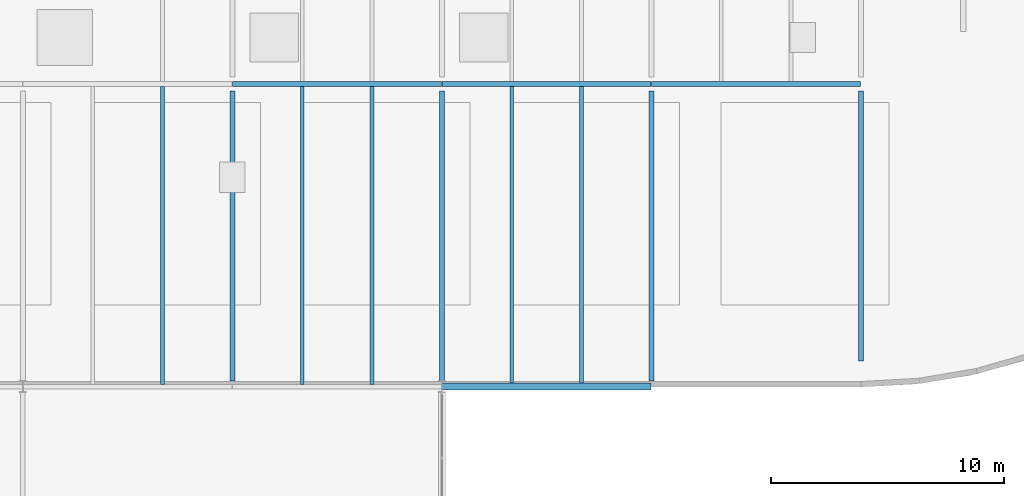
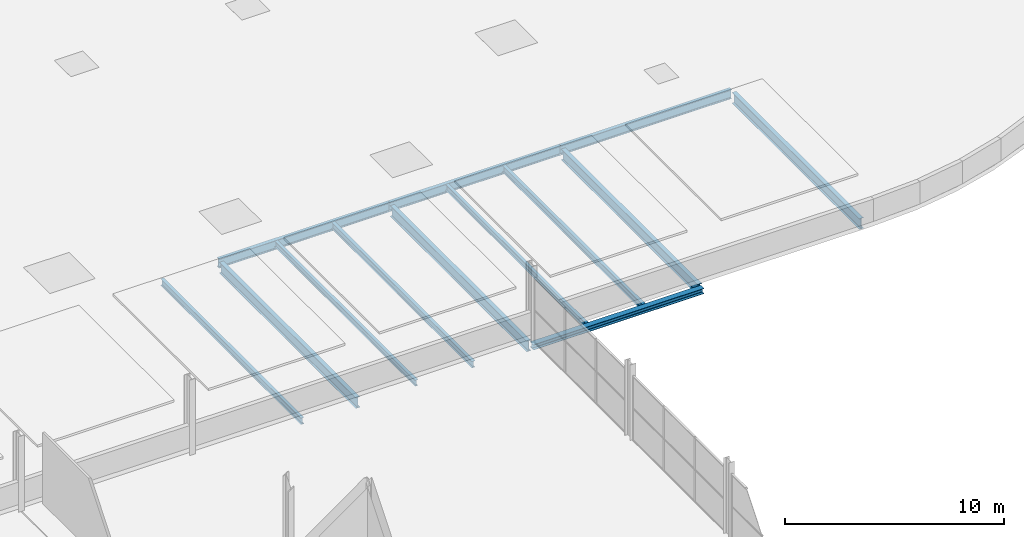
# One storey, part 25 of 59: 13 beams.
"""IFC4 building model written with IfcOpenShell, lengths in metres."""

from ifc_helpers import new_model, si_unit, direction, frame, origin, origin_2d, place, context, subcontext, project, spatial, i_section, extrude, material, material_profile, profile_set, type_object, element, save


model = new_model("IFC4")

# Units and contexts
model_context = context("Model", 3, precision=1e-05, world=origin(), true_north=direction((0.0, 1.0)))
body_context = subcontext(model_context, "Body", "Model", "MODEL_VIEW")
ifc_project = project(units=[si_unit("LENGTHUNIT", "METRE"), si_unit("AREAUNIT", "SQUARE_METRE"), si_unit("VOLUMEUNIT", "CUBIC_METRE"), si_unit("PLANEANGLEUNIT", "RADIAN"), si_unit("MASSUNIT", "GRAM", prefix="KILO")], contexts=[model_context])

# Site, building, storey
site_placement = place(None, origin())
site = spatial("IfcSite", under=ifc_project, at=site_placement, CompositionType="ELEMENT")
building_placement = place(site_placement, origin())
building = spatial("IfcBuilding", under=site, at=building_placement, Name="Deido Ridge Mobility Hub", CompositionType="ELEMENT")
storey_placement = place(building_placement, frame((0.0, 0.0, 21.0)))
storey = spatial("IfcBuildingStorey", under=building, at=storey_placement, Name="L05", CompositionType="ELEMENT", Elevation=21.0)

# Beams
ifc_material = material(Name="Steel S355J2 EN 10025-2", Category="steel")
ifc_material_profile_1 = material_profile(ifc_material, i_section(OverallWidth=0.199951171875, OverallDepth=0.5, WebThickness=0.01025390625, FlangeThickness=0.01611328125, FilletRadius=0.02099609375, at=origin_2d()), Name="IPE 500")
ifc_profile_set_1 = profile_set([ifc_material_profile_1], Name="Steel S355J2 EN 10025-2")
beam_type_1 = type_object("IfcBeamType", Name="BM-IPE500", PredefinedType="BEAM", material=ifc_profile_set_1)
for number, where, z_axis, x_axis, name in (
    (1, (90.0078125, 94.0, -0.4951171875), (1.0, 0.0, 0.0), (0.0, 1.0, 0.0), "Floor beam B3"),
    (2, (99.0078125, 94.0, -0.4951171875), (1.0, 0.0, 0.0), (0.0, 1.0, 0.0), "Floor beam B3"),
    (3, (108.0078125, 94.0, -0.4951171875), (1.0, 0.0, 0.0), (0.0, 1.0, 0.0), "Floor beam B3"),
):
    element("IfcBeam", number, at=place(storey_placement, frame(where, z_axis=z_axis, x_axis=x_axis)), inside=storey, type_object=beam_type_1, Name=name, PredefinedType="BEAM", context=body_context, shape_type="SweptSolid", body=[
        extrude(i_section(OverallWidth=0.199951171875, OverallDepth=0.5, WebThickness=0.01025390625, FlangeThickness=0.01611328125, FilletRadius=0.02099609375, at=origin_2d()), origin(), (0.0, 0.0, 1.0), 8.984375),
    ])
ifc_material_profile_2 = material_profile(ifc_material, i_section(OverallWidth=0.219970703125, OverallDepth=0.60009765625, WebThickness=0.011962890625, FlangeThickness=0.01904296875, FilletRadius=0.02392578125, at=origin_2d()), Name="IPE 600")
ifc_profile_set_2 = profile_set([ifc_material_profile_2], Name="Steel S355J2 EN 10025-2")
beam_type_2 = type_object("IfcBeamType", Name="BM-IPE600", PredefinedType="BEAM", material=ifc_profile_set_2)
for number, where, z_axis, x_axis, name in (
    (4, (90.0, 81.25, -0.544921875), (0.0, 1.0, 0.0), (-1.0, 0.0, 0.0), "Floor beam B1"),
    (5, (99.0, 81.25, -0.544921875), (0.0, 1.0, 0.0), (-1.0, 0.0, 0.0), "Floor beam B1"),
    (6, (108.0, 81.25, -0.544921875), (0.0, 1.0, 0.0), (-1.0, 0.0, 0.0), "Floor beam B1"),
):
    element("IfcBeam", number, at=place(storey_placement, frame(where, z_axis=z_axis, x_axis=x_axis)), inside=storey, type_object=beam_type_2, Name=name, PredefinedType="BEAM", context=body_context, shape_type="SweptSolid", body=[
        extrude(i_section(OverallWidth=0.219970703125, OverallDepth=0.60009765625, WebThickness=0.011962890625, FlangeThickness=0.01904296875, FilletRadius=0.02392578125, at=origin_2d()), origin(), (0.0, 0.0, 1.0), 12.449951171875),
    ])
beam_1_placement = place(storey_placement, frame((117.0, 82.10009765625, -0.544921875), z_axis=(0.0, 1.0, 0.0), x_axis=(-1.0, 0.0, 0.0)))
element("IfcBeam", 7, at=beam_1_placement, inside=storey, type_object=beam_type_2, Name="Floor beam B1", PredefinedType="BEAM", context=body_context, shape_type="SweptSolid", body=[
    extrude(i_section(OverallWidth=0.219970703125, OverallDepth=0.60009765625, WebThickness=0.011962890625, FlangeThickness=0.01904296875, FilletRadius=0.02392578125, at=origin_2d()), origin(), (0.0, 0.0, 1.0), 11.599853515625),
])
ifc_material_profile_3 = material_profile(ifc_material, i_section(OverallWidth=0.159912109375, OverallDepth=0.330078125, WebThickness=0.007568359375, FlangeThickness=0.011474609375, FilletRadius=0.01806640625, at=origin_2d()), Name="IPE 330")
ifc_profile_set_3 = profile_set([ifc_material_profile_3], Name="Steel S355J2 EN 10025-2")
beam_type_3 = type_object("IfcBeamType", Name="JST-IPE330", PredefinedType="JOIST", material=ifc_profile_set_3)
beam_2_placement = place(storey_placement, frame((93.0, 81.10009765625, -0.409912109375), z_axis=(0.0, 1.0, 0.0), x_axis=(-1.0, 0.0, 0.0)))
element("IfcBeam", 8, at=beam_2_placement, inside=storey, type_object=beam_type_3, Name="Composite joist J2", PredefinedType="JOIST", context=body_context, shape_type="SweptSolid", body=[
    extrude(i_section(OverallWidth=0.159912109375, OverallDepth=0.330078125, WebThickness=0.007568359375, FlangeThickness=0.011474609375, FilletRadius=0.01806640625, at=origin_2d()), origin(), (0.0, 0.0, 1.0), 12.7998046875),
])
beam_3_placement = place(storey_placement, frame((102.0, 81.14990234375, -0.409912109375), z_axis=(0.0, 1.0, 0.0), x_axis=(-1.0, 0.0, 0.0)))
element("IfcBeam", 9, at=beam_3_placement, inside=storey, type_object=beam_type_3, Name="Composite joist J2", PredefinedType="JOIST", context=body_context, shape_type="SweptSolid", body=[
    extrude(i_section(OverallWidth=0.159912109375, OverallDepth=0.330078125, WebThickness=0.007568359375, FlangeThickness=0.011474609375, FilletRadius=0.01806640625, at=origin_2d()), origin(), (0.0, 0.0, 1.0), 12.75),
])
ifc_material_profile_4 = material_profile(ifc_material, i_section(OverallWidth=0.169921875, OverallDepth=0.360107421875, WebThickness=0.008056640625, FlangeThickness=0.0126953125, FilletRadius=0.01806640625, at=origin_2d()), Name="IPE 360")
ifc_profile_set_4 = profile_set([ifc_material_profile_4], Name="Steel S355J2 EN 10025-2")
beam_type_4 = type_object("IfcBeamType", Name="JST-IPE360", PredefinedType="JOIST", material=ifc_profile_set_4)
for number, where, z_axis, x_axis, name in (
    (10, (87.0, 81.10009765625, -0.425048828125), (0.0, 1.0, 0.0), (-1.0, 0.0, 0.0), "Composite joist J1"),
    (11, (96.0, 81.10009765625, -0.425048828125), (0.0, 1.0, 0.0), (-1.0, 0.0, 0.0), "Composite joist J1"),
):
    element("IfcBeam", number, at=place(storey_placement, frame(where, z_axis=z_axis, x_axis=x_axis)), inside=storey, type_object=beam_type_4, Name=name, PredefinedType="JOIST", context=body_context, shape_type="SweptSolid", body=[
        extrude(i_section(OverallWidth=0.169921875, OverallDepth=0.360107421875, WebThickness=0.008056640625, FlangeThickness=0.0126953125, FilletRadius=0.01806640625, at=origin_2d()), origin(), (0.0, 0.0, 1.0), 12.7998046875),
    ])
beam_4_placement = place(storey_placement, frame((105.0, 81.14990234375, -0.425048828125), z_axis=(0.0, 1.0, 0.0), x_axis=(-1.0, 0.0, 0.0)))
element("IfcBeam", 12, at=beam_4_placement, inside=storey, type_object=beam_type_4, Name="Composite joist J1", PredefinedType="JOIST", context=body_context, shape_type="SweptSolid", body=[
    extrude(i_section(OverallWidth=0.169921875, OverallDepth=0.360107421875, WebThickness=0.008056640625, FlangeThickness=0.0126953125, FilletRadius=0.01806640625, at=origin_2d()), origin(), (0.0, 0.0, 1.0), 12.75),
])
ifc_material_profile_5 = material_profile(ifc_material, i_section(OverallWidth=0.300048828125, OverallDepth=0.300048828125, WebThickness=0.010986328125, FlangeThickness=0.01904296875, FilletRadius=0.027099609375, at=origin_2d()), Name="HEB 300")
ifc_profile_set_5 = profile_set([ifc_material_profile_5], Name="Steel S355J2 EN 10025-2")
beam_type_5 = type_object("IfcBeamType", Name="SPD-HEB300", PredefinedType="SPANDREL", material=ifc_profile_set_5)
beam_5_placement = place(storey_placement, frame((99.007080078125, 81.0, -0.39501953125), z_axis=(1.0, 0.0, 0.0), x_axis=(0.0, 1.0, 0.0)))
element("IfcBeam", 13, at=beam_5_placement, inside=storey, type_object=beam_type_5, Name="Floor beam SP1", PredefinedType="SPANDREL", context=body_context, shape_type="SweptSolid", body=[
    extrude(i_section(OverallWidth=0.300048828125, OverallDepth=0.300048828125, WebThickness=0.010986328125, FlangeThickness=0.01904296875, FilletRadius=0.027099609375, at=origin_2d()), origin(), (0.0, 0.0, 1.0), 8.98583984375),
])

save(model, "model.ifc")
